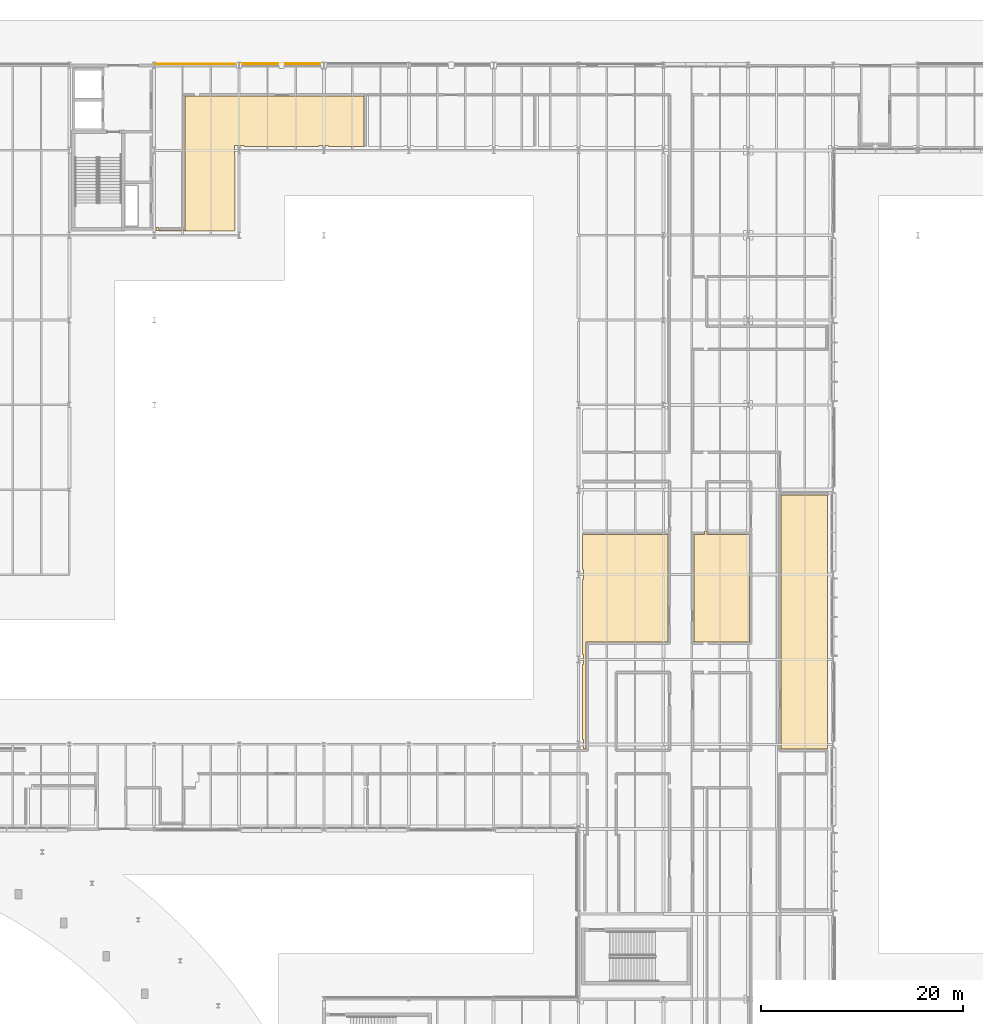
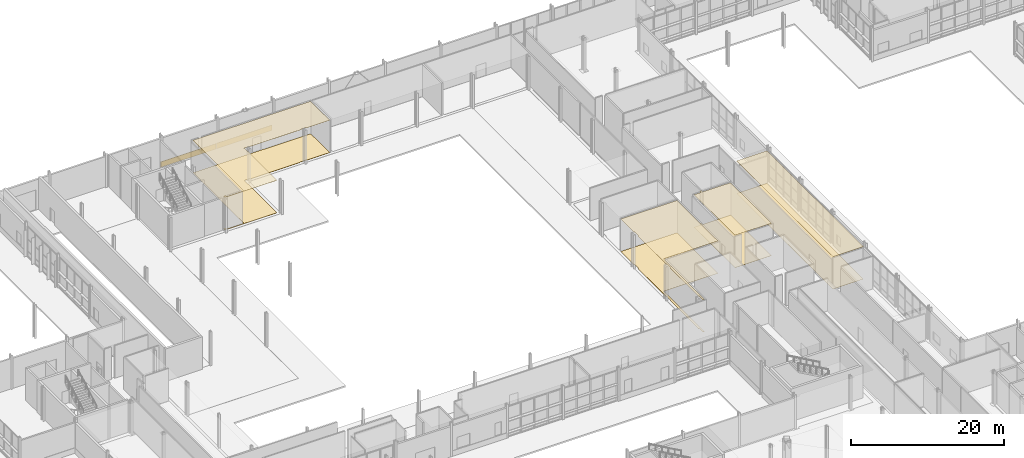
# One storey, part 112 of 124: 10 coverings.
"""IFC4 building model written with IfcOpenShell, lengths in metres."""

from ifc_helpers import new_model, si_unit, direction, frame, origin, origin_2d, place, context, subcontext, project, spatial, polyline, rectangle, outline, extrude, material, layer, layer_set, type_object, element, save


model = new_model("IFC4")

# Units and contexts
model_context = context("Model", 3, precision=1e-05, world=origin(), true_north=direction((0.0, 1.0)))
body_context = subcontext(model_context, "Body", "Model", "MODEL_VIEW")
ifc_project = project(units=[si_unit("LENGTHUNIT", "METRE"), si_unit("AREAUNIT", "SQUARE_METRE"), si_unit("VOLUMEUNIT", "CUBIC_METRE"), si_unit("PLANEANGLEUNIT", "RADIAN"), si_unit("MASSUNIT", "GRAM", prefix="KILO")], contexts=[model_context])

# Site, building, storey
site_placement = place(None, origin())
site = spatial("IfcSite", under=ifc_project, at=site_placement, CompositionType="ELEMENT")
building_placement = place(site_placement, origin())
building = spatial("IfcBuilding", under=site, at=building_placement, Name="Mersafa Astral City Hall", CompositionType="ELEMENT")
storey_placement = place(building_placement, origin())
storey = spatial("IfcBuildingStorey", under=building, at=storey_placement, Name="L00", CompositionType="ELEMENT", Elevation=0.0)

# Coverings
ifc_material_1 = material(Name="Cairo Mokattam buff limestone cladding", Category="masonry")
ifc_layer_1 = layer(ifc_material_1, 0.06005859375, Name="Cairo Mokattam buff limestone cladding")
ifc_layer_set_1 = layer_set([ifc_layer_1], Name="Cairo Mokattam buff limestone cladding — ENV-COV-LIMESTONE-60")
covering_type_1 = type_object("IfcCoveringType", Name="ENV-COV-LIMESTONE-60", PredefinedType="CLADDING", material=ifc_layer_set_1)
for number, where, z_axis, x_axis, name in (
    (1, (63.0, 126.16943359375, 0.0), (0.0, 0.0, 1.0), (-1.0, 0.0, 0.0), "L00 Cairo buff limestone rainscreen cladding 41"),
    (2, (54.60009765625, 126.162109375, 0.0), (0.0, 0.0, 1.0), (-1.0, 0.0, 0.0), "L00 Cairo buff limestone rainscreen cladding 42"),
):
    element("IfcCovering", number, at=place(storey_placement, frame(where, z_axis=z_axis, x_axis=x_axis)), inside=storey, type_object=covering_type_1, Name=name, PredefinedType="CLADDING", context=body_context, shape_type="SweptSolid", body=[
        extrude(rectangle(XDim=8.323974609375, YDim=0.06005859375, at=origin_2d()), origin(), (0.0, 0.0, 1.0), 0.860107421875),
    ])
ifc_material_2 = material(Name="Perforated acoustic gypsum board ceiling", Category="gypsum")
ifc_layer_2 = layer(ifc_material_2, 0.02490234375, Name="Perforated acoustic gypsum board ceiling")
ifc_layer_set_2 = layer_set([ifc_layer_2], Name="Perforated acoustic gypsum board ceiling — INT-COV-CEIL-25")
covering_type_2 = type_object("IfcCoveringType", Name="INT-COV-CEIL-25", PredefinedType="CEILING", material=ifc_layer_set_2)
covering_1_placement = place(storey_placement, frame((0.0, 0.0, 5.156005859375)))
element("IfcCovering", 3, at=covering_1_placement, inside=storey, type_object=covering_type_2, Name="L00 Public Restroom L00-10 acoustic ceiling", PredefinedType="CEILING", context=body_context, shape_type="SweptSolid", body=[
    extrude(outline(polyline([(92.89501953125, 59.294921875), (92.800048828125, 59.294921875), (92.800048828125, 66.705078125), (92.89501953125, 66.705078125), (92.89501953125, 67.695068359375), (92.800048828125, 67.695068359375), (92.800048828125, 75.10498046875), (92.89501953125, 75.10498046875), (92.89501953125, 76.094970703125), (92.800048828125, 76.094970703125), (92.800048828125, 79.570068359375), (101.280029296875, 79.570068359375), (101.280029296875, 68.919921875), (93.1298828125, 68.919921875), (93.1298828125, 58.320068359375), (92.89501953125, 58.320068359375), (92.89501953125, 59.294921875)])), origin(), (0.0, 0.0, 1.0), 0.02490234375),
])
covering_2_placement = place(storey_placement, frame((0.0, 0.0, 5.156005859375)))
element("IfcCovering", 4, at=covering_2_placement, inside=storey, type_object=covering_type_2, Name="L00 Public Restroom L00-20 acoustic ceiling", PredefinedType="CEILING", context=body_context, shape_type="SweptSolid", body=[
    extrude(outline(polyline([(105.1201171875, 79.570068359375), (109.330078125, 79.570068359375), (109.330078125, 68.919921875), (103.840087890625, 68.919921875), (103.840087890625, 79.570068359375), (104.8798828125, 79.570068359375), (104.8798828125, 79.919921875), (105.1201171875, 79.919921875), (105.1201171875, 79.570068359375)])), origin(), (0.0, 0.0, 1.0), 0.02490234375),
])
ifc_material_3 = material(Name="Slatted cedar timber acoustic baffle ceiling", Category="wood")
ifc_layer_3 = layer(ifc_material_3, 0.034912109375, Name="Slatted cedar timber acoustic baffle ceiling")
ifc_layer_set_3 = layer_set([ifc_layer_3], Name="Slatted cedar timber acoustic baffle ceiling — INT-COV-CEIL-35")
covering_type_3 = type_object("IfcCoveringType", Name="INT-COV-CEIL-35", PredefinedType="CEILING", material=ifc_layer_set_3)
covering_3_placement = place(storey_placement, frame((0.0, 0.0, 5.14599609375)))
element("IfcCovering", 5, at=covering_3_placement, inside=storey, type_object=covering_type_3, Name="L00 Public Hall acoustic ceiling", PredefinedType="CEILING", context=body_context, shape_type="SweptSolid", body=[
    extrude(outline(polyline([(112.469970703125, 58.320068359375), (112.469970703125, 83.4599609375), (117.06005859375, 83.4599609375), (117.06005859375, 58.320068359375), (112.469970703125, 58.320068359375)])), origin(), (0.0, 0.0, 1.0), 0.034912109375),
])
covering_4_placement = place(storey_placement, frame((0.0, 0.0, 5.14599609375)))
element("IfcCovering", 6, at=covering_4_placement, inside=storey, type_object=covering_type_3, Name="L00 Civil Registry Reception Hall L00-07 acoustic ceiling", PredefinedType="CEILING", context=body_context, shape_type="SweptSolid", body=[
    extrude(outline(polyline([(50.8701171875, 109.669921875), (50.56005859375, 109.669921875), (50.56005859375, 109.97998046875), (50.8798828125, 109.97998046875), (50.8798828125, 109.679931640625), (53.43994140625, 109.679931640625), (53.43994140625, 122.9599609375), (71.169921875, 122.9599609375), (71.169921875, 118.0), (67.669921875, 118.0), (67.669921875, 118.070068359375), (66.72998046875, 118.070068359375), (66.72998046875, 118.0), (59.27001953125, 118.0), (59.27001953125, 118.070068359375), (58.330078125, 118.070068359375), (58.330078125, 117.1298828125), (58.39990234375, 117.1298828125), (58.39990234375, 109.669921875), (58.330078125, 109.669921875), (58.330078125, 109.60009765625), (50.8701171875, 109.60009765625), (50.8701171875, 109.669921875)])), origin(), (0.0, 0.0, 1.0), 0.034912109375),
])
ifc_material_4 = material(Name="Honed Cairo limestone terrazzo flooring", Category="masonry")
ifc_layer_4 = layer(ifc_material_4, 0.02001953125, Name="Honed Cairo limestone terrazzo flooring")
ifc_layer_set_4 = layer_set([ifc_layer_4], Name="Honed Cairo limestone terrazzo flooring — INT-COV-FLR-20")
covering_type_4 = type_object("IfcCoveringType", Name="INT-COV-FLR-20", PredefinedType="FLOORING", material=ifc_layer_set_4)
covering_5_placement = place(storey_placement, frame((0.0, 0.0, -0.00146484375)))
element("IfcCovering", 7, at=covering_5_placement, inside=storey, type_object=covering_type_4, Name="L00 Public Hall architectural flooring", PredefinedType="FLOORING", context=body_context, shape_type="SweptSolid", body=[
    extrude(outline(polyline([(112.469970703125, 58.320068359375), (112.469970703125, 83.4599609375), (117.06005859375, 83.4599609375), (117.06005859375, 58.320068359375), (112.469970703125, 58.320068359375)])), origin(), (0.0, 0.0, 1.0), 0.02001953125),
])
covering_6_placement = place(storey_placement, frame((0.0, 0.0, -0.00146484375)))
element("IfcCovering", 8, at=covering_6_placement, inside=storey, type_object=covering_type_4, Name="L00 Civil Registry Reception Hall L00-07 architectural flooring", PredefinedType="FLOORING", context=body_context, shape_type="SweptSolid", body=[
    extrude(outline(polyline([(50.8701171875, 109.669921875), (50.56005859375, 109.669921875), (50.56005859375, 109.97998046875), (50.8798828125, 109.97998046875), (50.8798828125, 109.679931640625), (53.43994140625, 109.679931640625), (53.43994140625, 122.9599609375), (71.169921875, 122.9599609375), (71.169921875, 118.0), (67.669921875, 118.0), (67.669921875, 118.070068359375), (66.72998046875, 118.070068359375), (66.72998046875, 118.0), (59.27001953125, 118.0), (59.27001953125, 118.070068359375), (58.330078125, 118.070068359375), (58.330078125, 117.1298828125), (58.39990234375, 117.1298828125), (58.39990234375, 109.669921875), (58.330078125, 109.669921875), (58.330078125, 109.60009765625), (50.8701171875, 109.60009765625), (50.8701171875, 109.669921875)])), origin(), (0.0, 0.0, 1.0), 0.02001953125),
])
covering_7_placement = place(storey_placement, frame((0.0, 0.0, -0.00146484375)))
element("IfcCovering", 9, at=covering_7_placement, inside=storey, type_object=covering_type_4, Name="L00 Public Restroom L00-10 architectural flooring", PredefinedType="FLOORING", context=body_context, shape_type="SweptSolid", body=[
    extrude(outline(polyline([(92.89501953125, 59.294921875), (92.800048828125, 59.294921875), (92.800048828125, 66.705078125), (92.89501953125, 66.705078125), (92.89501953125, 67.695068359375), (92.800048828125, 67.695068359375), (92.800048828125, 75.10498046875), (92.89501953125, 75.10498046875), (92.89501953125, 76.094970703125), (92.800048828125, 76.094970703125), (92.800048828125, 79.570068359375), (101.280029296875, 79.570068359375), (101.280029296875, 68.919921875), (93.1298828125, 68.919921875), (93.1298828125, 58.320068359375), (92.89501953125, 58.320068359375), (92.89501953125, 59.294921875)])), origin(), (0.0, 0.0, 1.0), 0.02001953125),
])
covering_8_placement = place(storey_placement, frame((0.0, 0.0, -0.00146484375)))
element("IfcCovering", 10, at=covering_8_placement, inside=storey, type_object=covering_type_4, Name="L00 Public Restroom L00-20 architectural flooring", PredefinedType="FLOORING", context=body_context, shape_type="SweptSolid", body=[
    extrude(outline(polyline([(105.1201171875, 79.570068359375), (109.330078125, 79.570068359375), (109.330078125, 68.919921875), (103.840087890625, 68.919921875), (103.840087890625, 79.570068359375), (104.8798828125, 79.570068359375), (104.8798828125, 79.919921875), (105.1201171875, 79.919921875), (105.1201171875, 79.570068359375)])), origin(), (0.0, 0.0, 1.0), 0.02001953125),
])

save(model, "model.ifc")
